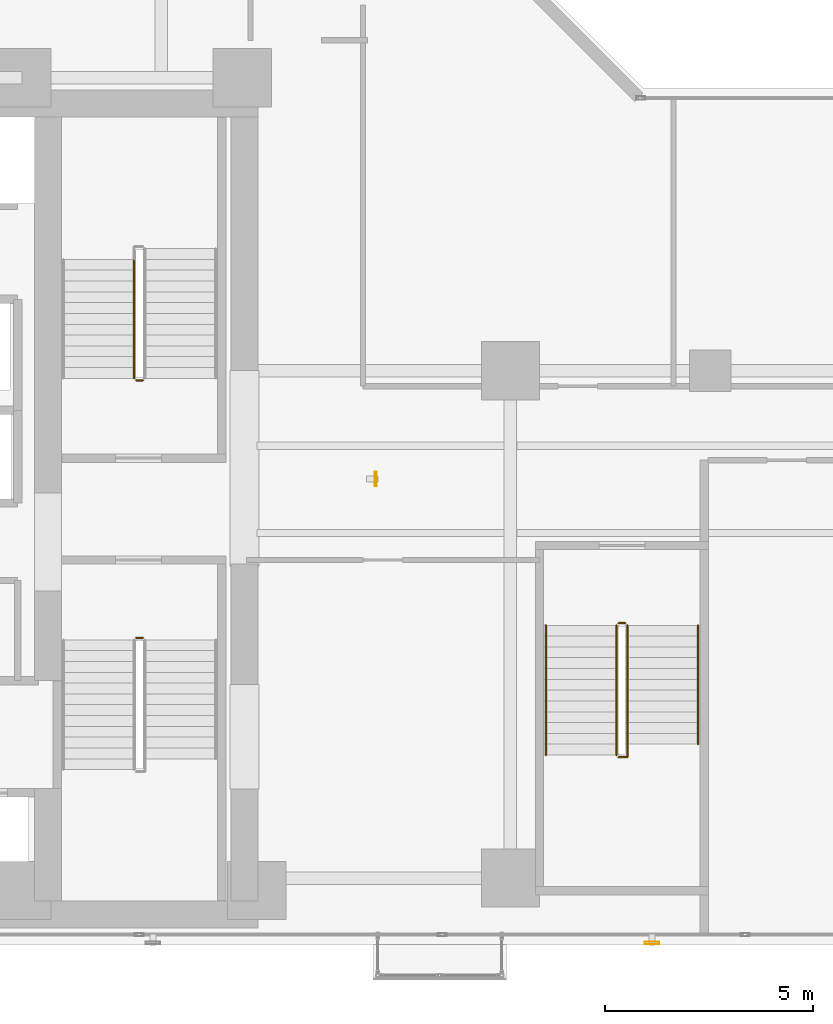
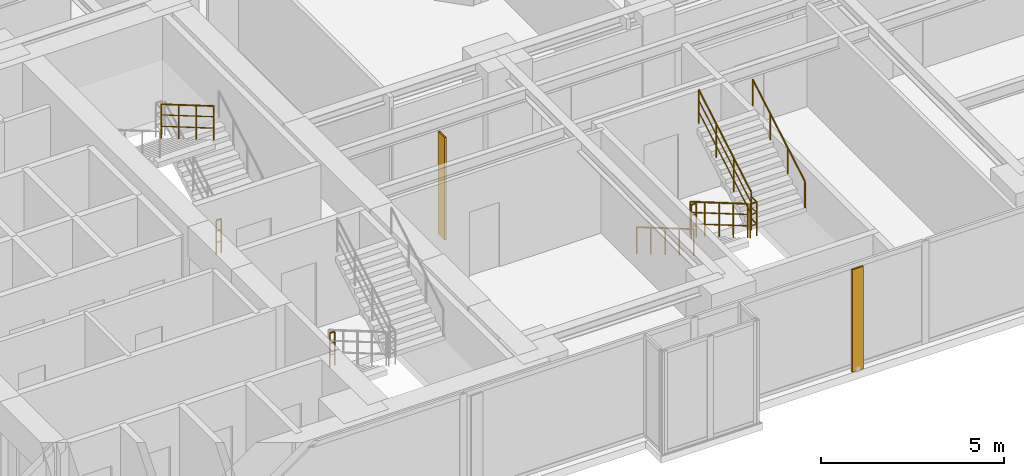
# One storey, part 24 of 25: 9 railings, 2 shading devices.
"""IFC4 building model written with IfcOpenShell, lengths in metres."""

import ifcopenshell
import ifcopenshell.guid

model = None  # the IFC model being written
_history = None  # IfcOwnerHistory: only IFC2X3 demands one
_inside = {}  # id of a spatial element -> (the spatial element, [elements in it])
_under = {}  # id of a project, library or spatial element -> (it, [spatial elements below it])
_declared = {}  # id of a project -> (the project, [libraries it declares])
_typed = {}  # id of a type object -> (the type object, [elements of that type])
_made_of = {}  # id of a material, layer set ... -> (it, [elements and type objects made of it])


def new_model(schema):
    """Start an empty IFC model of exactly this schema.

    Asked for "IFC4X3", IfcOpenShell would pick the latest addendum, in which some entities
    have other attributes; the version numbers below select the first issue.
    IFC2X3 requires an IfcOwnerHistory on every rooted entity: one is made here for all.
    """
    global model, _history
    if schema == "IFC4X3":
        model = ifcopenshell.file(schema_version=(4, 3, 0, 0))
    else:
        model = ifcopenshell.file(schema=schema)
    _inside.clear()
    _under.clear()
    _declared.clear()
    _typed.clear()
    _made_of.clear()
    _history = None
    if model.schema == "IFC2X3":
        org = make("IfcOrganization", Name="unknown")
        user = make(
            "IfcPersonAndOrganization",
            ThePerson=make("IfcPerson", FamilyName="unknown"),
            TheOrganization=org,
        )
        app = make(
            "IfcApplication",
            ApplicationDeveloper=org,
            Version="unknown",
            ApplicationFullName="unknown",
            ApplicationIdentifier="unknown",
        )
        _history = make(
            "IfcOwnerHistory",
            OwningUser=user,
            OwningApplication=app,
            ChangeAction="ADDED",
            CreationDate=0,
        )
    return model


def make(cls, **values):
    """One entity of the class cls with the attributes given. An attribute that is None is left unset."""
    return model.create_entity(
        cls, **{name: value for name, value in values.items() if value is not None}
    )


def rooted(cls, **values):
    """An entity with a GlobalId (a new one), such as an element, a storey or a relation."""
    return make(cls, GlobalId=ifcopenshell.guid.new(), OwnerHistory=_history, **values)


def si_unit(unit_type, name, prefix=None):
    """IfcSIUnit, for example si_unit("LENGTHUNIT", "METRE", prefix="MILLI")."""
    return make("IfcSIUnit", UnitType=unit_type, Prefix=prefix, Name=name)


def assignment(units):
    """IfcUnitAssignment: the units of a project."""
    return None if units is None else make("IfcUnitAssignment", Units=units)


def point(xyz):
    """IfcCartesianPoint."""
    return None if xyz is None else make("IfcCartesianPoint", Coordinates=xyz)


def direction(xyz):
    """IfcDirection."""
    return None if xyz is None else make("IfcDirection", DirectionRatios=xyz)


def frame(location, z_axis=None, x_axis=None):
    """IfcAxis2Placement3D, a coordinate frame: its origin and axes. An axis left out is left unset."""
    return make(
        "IfcAxis2Placement3D",
        Location=point(location),
        Axis=direction(z_axis),
        RefDirection=direction(x_axis),
    )


def frame_2d(location, x_axis=None):
    """IfcAxis2Placement2D, a coordinate frame in the plane: its origin and x axis."""
    return make(
        "IfcAxis2Placement2D", Location=point(location), RefDirection=direction(x_axis)
    )


def origin():
    """The frame at (0, 0, 0) with its axes left unset."""
    return frame((0.0, 0.0, 0.0))


def origin_2d():
    """The frame at (0, 0) in the plane with its x axis left unset."""
    return frame_2d((0.0, 0.0))


def place(relative_to, where):
    """IfcLocalPlacement: puts the frame where relative to a parent placement (None: the world)."""
    return make(
        "IfcLocalPlacement", PlacementRelTo=relative_to, RelativePlacement=where
    )


def context(
    kind, dimensions, precision=None, world=None, true_north=None, identifier=None
):
    """IfcGeometricRepresentationContext, for example the 3D "Model" context."""
    return make(
        "IfcGeometricRepresentationContext",
        ContextIdentifier=identifier,
        ContextType=kind,
        CoordinateSpaceDimension=dimensions,
        Precision=precision,
        WorldCoordinateSystem=world,
        TrueNorth=true_north,
    )


def subcontext(parent, identifier, kind, view, scale=None):
    """IfcGeometricRepresentationSubContext, for example "Body" below "Model"."""
    return make(
        "IfcGeometricRepresentationSubContext",
        ContextIdentifier=identifier,
        ContextType=kind,
        ParentContext=parent,
        TargetScale=scale,
        TargetView=view,
    )


def project(units=None, contexts=None):
    """IfcProject with its units and contexts."""
    return rooted(
        "IfcProject",
        Name="project",
        RepresentationContexts=contexts,
        UnitsInContext=assignment(units),
    )


def spatial(cls, under=None, at=None, **own):
    """A site, building, storey or space (cls), placed at a placement, below another one or the project."""
    s = rooted(cls, ObjectPlacement=at, **own)
    if under is not None:
        _under.setdefault(under.id(), (under, []))[1].append(s)
    return s


def profile(cls, at=None, kind="AREA", **sizes):
    """A parametric profile (cls). Its sizes go by their IFC names, for example OverallWidth=200.0."""
    return make(cls, ProfileType=kind, Position=at, **sizes)


def hollow_rectangle(**sizes):
    """IfcRectangleHollowProfileDef."""
    return profile("IfcRectangleHollowProfileDef", **sizes)


def circle(**sizes):
    """IfcCircleProfileDef."""
    return profile("IfcCircleProfileDef", **sizes)


def extrude(swept, where, along, depth):
    """IfcExtrudedAreaSolid: the profile swept, set in the frame where, extruded along a direction by depth."""
    return make(
        "IfcExtrudedAreaSolid",
        SweptArea=swept,
        Position=where,
        ExtrudedDirection=direction(along),
        Depth=depth,
    )


def shape(context_of_items, identifier, shape_type, items):
    """IfcShapeRepresentation: the items that make up one representation, for example the "Body"."""
    return make(
        "IfcShapeRepresentation",
        ContextOfItems=context_of_items,
        RepresentationIdentifier=identifier,
        RepresentationType=shape_type,
        Items=items,
    )


def material(Name=None, Category=None):
    """IfcMaterial."""
    return make("IfcMaterial", Name=Name, Category=Category)


def material_profile(
    of_material, cross_section, Name=None, Category=None, Priority=None
):
    """IfcMaterialProfile: a cross section and its material."""
    return make(
        "IfcMaterialProfile",
        Name=Name,
        Material=of_material,
        Profile=cross_section,
        Priority=Priority,
        Category=Category,
    )


def profile_set(profiles, Name=None, composite=None):
    """IfcMaterialProfileSet."""
    return make(
        "IfcMaterialProfileSet",
        Name=Name,
        MaterialProfiles=profiles,
        CompositeProfile=composite,
    )


def made_of(thing, what):
    """Note that an element or type object is made of a material, layer set ...; save() writes the relation."""
    if what is not None:
        _made_of.setdefault(what.id(), (what, []))[1].append(thing)
    return thing


def type_object(cls, material=None, **own):
    """A type object (cls), such as IfcWallType, which elements share."""
    return made_of(rooted(cls, **own), material)


def element(
    cls,
    number,
    at=None,
    inside=None,
    cuts=None,
    type_object=None,
    material=None,
    context=None,
    identifier="Body",
    shape_type=None,
    held_by="IfcProductDefinitionShape",
    body=None,
    shapes=None,
    **own,
):
    """One element of the class cls, such as IfcWall. Its Tag is "e" and its number.

    at: its placement. inside: the storey or other place that contains it. cuts: it is an
    opening in that element (IfcRelVoidsElement). A single representation is given by context,
    identifier, shape_type and body (its items); several are given by shapes. held_by: the class
    of the entity that holds the representations. save() writes the other relations.
    """
    e = rooted(cls, Tag="e%d" % number, ObjectPlacement=at, **own)
    if body is not None:
        shapes = [shape(context, identifier, shape_type, body)]
    if shapes is not None:
        e.Representation = make(held_by, Representations=shapes)
    if inside is not None:
        _inside.setdefault(inside.id(), (inside, []))[1].append(e)
    if cuts is not None:
        rooted(
            "IfcRelVoidsElement", RelatingBuildingElement=cuts, RelatedOpeningElement=e
        )
    if type_object is not None:
        _typed.setdefault(type_object.id(), (type_object, []))[1].append(e)
    return made_of(e, material)


def aggregate(whole, parts):
    """IfcRelAggregates: a whole, such as a stair, and the parts it consists of."""
    return rooted("IfcRelAggregates", RelatingObject=whole, RelatedObjects=parts)


def save(model, path):
    """Write the relations noted so far, then the file.

    IfcRelAggregates (storeys below a building ...), IfcRelContainedInSpatialStructure (elements
    in a storey), IfcRelDefinesByType, IfcRelAssociatesMaterial and IfcRelDeclares: one each for
    every whole, place, type object, material and project.
    """
    for whole, parts in _under.values():
        aggregate(whole, parts)
    for where, things in _inside.values():
        rooted(
            "IfcRelContainedInSpatialStructure",
            RelatedElements=things,
            RelatingStructure=where,
        )
    for kind, things in _typed.values():
        rooted("IfcRelDefinesByType", RelatedObjects=things, RelatingType=kind)
    for what, things in _made_of.values():
        rooted("IfcRelAssociatesMaterial", RelatedObjects=things, RelatingMaterial=what)
    for by, libraries in _declared.values():
        rooted("IfcRelDeclares", RelatingContext=by, RelatedDefinitions=libraries)
    model.write(path)


model = new_model("IFC4")

# Units and contexts
model_context = context("Model", 3, precision=1e-05, world=origin(), true_north=direction((0.0, 1.0)))
body_context = subcontext(model_context, "Body", "Model", "MODEL_VIEW")
ifc_project = project(units=[si_unit("LENGTHUNIT", "METRE"), si_unit("AREAUNIT", "SQUARE_METRE"), si_unit("VOLUMEUNIT", "CUBIC_METRE"), si_unit("PLANEANGLEUNIT", "RADIAN"), si_unit("MASSUNIT", "GRAM", prefix="KILO")], contexts=[model_context])

# Site, building, storey
site_placement = place(None, origin())
site = spatial("IfcSite", under=ifc_project, at=site_placement, CompositionType="ELEMENT")
building_placement = place(site_placement, origin())
building = spatial("IfcBuilding", under=site, at=building_placement, Name="Kolvaren Waterfront Exchange", CompositionType="ELEMENT")
storey_placement = place(building_placement, frame((0.0, 0.0, 137.300048828125)))
storey = spatial("IfcBuildingStorey", under=building, at=storey_placement, Name="L35", CompositionType="ELEMENT", Elevation=137.300048828125)

# Shading devices
ifc_material_1 = material(Name="Anodised bronze aluminium 6063-T6", Category="aluminium")
ifc_material_profile = material_profile(ifc_material_1, hollow_rectangle(XDim=0.06005859375, YDim=0.35009765625, WallThickness=0.0048828125, at=origin_2d()), Name="BRZ-FIN-350x60x5")
ifc_profile_set = profile_set([ifc_material_profile], Name="Anodised bronze aluminium 6063-T6")
shading_device_type = type_object("IfcShadingDeviceType", Name="ARC-FIN-350", PredefinedType="USERDEFINED", material=ifc_profile_set)
for number, where, z_axis, x_axis, name in (
    (1, (30.60009765625, 3.639892578125, 0.0), (0.0, 0.0, 1.0), (0.0, -1.0, 0.0), "L35 anodised bronze solar shading fin FIN-L35-S3"),
    (2, (23.9599609375, 14.800048828125, 0.0), (0.0, 0.0, 1.0), (1.0, 0.0, 0.0), "L35 anodised bronze solar shading fin FIN-L35-E1"),
):
    element("IfcShadingDevice", number, at=place(storey_placement, frame(where, z_axis=z_axis, x_axis=x_axis)), inside=storey, type_object=shading_device_type, Name=name, ObjectType="SOLAR FIN", PredefinedType="USERDEFINED", context=body_context, shape_type="SweptSolid", body=[
        extrude(hollow_rectangle(XDim=0.06005859375, YDim=0.35009765625, WallThickness=0.0048828125, at=origin_2d()), origin(), (0.0, 0.0, 1.0), 3.419921875),
    ])

# Railings
ifc_material_2 = material(Name="Stainless steel 316", Category="steel")
railing_type_1 = type_object("IfcRailingType", Name="ARC-GUARD-STAIR", PredefinedType="GUARDRAIL", material=ifc_material_2)
railing_1_placement = place(storey_placement, frame((18.199951171875, 10.97998046875, 0.0)))
element("IfcRailing", 3, at=railing_1_placement, inside=storey, type_object=railing_type_1, Name="L35 ST1 stair guard 4", PredefinedType="GUARDRAIL", context=body_context, shape_type="SweptSolid", body=[
    extrude(circle(Radius=0.02392578125, at=origin_2d()), frame((0.0, 0.0, 1.1259765625), z_axis=(1.0, 0.0, 0.0), x_axis=(0.0, 1.0, 0.0)), (0.0, 0.0, 1.0), 0.16015625),
    extrude(circle(Radius=0.01611328125, at=origin_2d()), frame((0.0, 0.0, 0.390869140625), z_axis=(1.0, 0.0, 0.0), x_axis=(0.0, 1.0, 0.0)), (0.0, 0.0, 1.0), 0.16015625),
    extrude(circle(Radius=0.01611328125, at=origin_2d()), frame((0.0, 0.0, 0.7705078125), z_axis=(1.0, 0.0, 0.0), x_axis=(0.0, 1.0, 0.0)), (0.0, 0.0, 1.0), 0.16015625),
    extrude(circle(Radius=0.02099609375, at=origin_2d()), origin(), (0.0, 0.0, 1.0), 1.101806640625),
    extrude(circle(Radius=0.02099609375, at=origin_2d()), frame((0.16015625, 0.0, 0.0)), (0.0, 0.0, 1.0), 1.101806640625),
])
railing_2_placement = place(storey_placement, frame((18.14990234375, 20.080078125, 2.1279296875)))
element("IfcRailing", 4, at=railing_2_placement, inside=storey, type_object=railing_type_1, Name="L35 ST2 stair guard 3", PredefinedType="GUARDRAIL", context=body_context, shape_type="SweptSolid", body=[
    extrude(circle(Radius=0.02392578125, at=origin_2d()), frame((0.0, 0.0, 1.1259765625), z_axis=(0.0, -0.863289384635, 0.504709261235), x_axis=(1.0, 0.0, 0.0)), (0.0, 0.0, 1.0), 3.31298828125),
    extrude(circle(Radius=0.01611328125, at=origin_2d()), frame((0.0, 0.0, 0.390869140625), z_axis=(0.0, -0.863289384635, 0.504709261235), x_axis=(1.0, 0.0, 0.0)), (0.0, 0.0, 1.0), 3.31298828125),
    extrude(circle(Radius=0.01611328125, at=origin_2d()), frame((0.0, 0.0, 0.7705078125), z_axis=(0.0, -0.863289384635, 0.504709261235), x_axis=(1.0, 0.0, 0.0)), (0.0, 0.0, 1.0), 3.31298828125),
    extrude(circle(Radius=0.02099609375, at=origin_2d()), origin(), (0.0, 0.0, 1.0), 1.101806640625),
    extrude(circle(Radius=0.02099609375, at=origin_2d()), frame((0.0, -0.953369140625, 0.557373046875)), (0.0, 0.0, 1.0), 1.101806640625),
    extrude(circle(Radius=0.02099609375, at=origin_2d()), frame((0.0, -1.90673828125, 1.11474609375)), (0.0, 0.0, 1.0), 1.101806640625),
    extrude(circle(Radius=0.02099609375, at=origin_2d()), frame((0.0, -2.860107421875, 1.672119140625)), (0.0, 0.0, 1.0), 1.101806640625),
])
railing_3_placement = place(storey_placement, frame((18.360107421875, 17.169921875, 0.0)))
element("IfcRailing", 5, at=railing_3_placement, inside=storey, type_object=railing_type_1, Name="L35 ST2 stair guard 4", PredefinedType="GUARDRAIL", context=body_context, shape_type="SweptSolid", body=[
    extrude(circle(Radius=0.02392578125, at=origin_2d()), frame((0.0, 0.0, 1.1259765625), z_axis=(-1.0, 0.0, 0.0), x_axis=(0.0, -1.0, 0.0)), (0.0, 0.0, 1.0), 0.16015625),
    extrude(circle(Radius=0.01611328125, at=origin_2d()), frame((0.0, 0.0, 0.390869140625), z_axis=(-1.0, 0.0, 0.0), x_axis=(0.0, -1.0, 0.0)), (0.0, 0.0, 1.0), 0.16015625),
    extrude(circle(Radius=0.01611328125, at=origin_2d()), frame((0.0, 0.0, 0.7705078125), z_axis=(-1.0, 0.0, 0.0), x_axis=(0.0, -1.0, 0.0)), (0.0, 0.0, 1.0), 0.16015625),
    extrude(circle(Radius=0.02099609375, at=origin_2d()), origin(), (0.0, 0.0, 1.0), 1.101806640625),
    extrude(circle(Radius=0.02099609375, at=origin_2d()), frame((-0.16015625, 0.0, 0.0)), (0.0, 0.0, 1.0), 1.101806640625),
])
railing_4_placement = place(storey_placement, frame((29.75, 11.280029296875, 0.15185546875)))
element("IfcRailing", 6, at=railing_4_placement, inside=storey, type_object=railing_type_1, Name="L35 ST3 stair guard 1", PredefinedType="GUARDRAIL", context=body_context, shape_type="SweptSolid", body=[
    extrude(circle(Radius=0.02392578125, at=origin_2d()), frame((0.0, 0.0, 1.1259765625), z_axis=(0.0, -0.86330811405, 0.504677223793), x_axis=(1.0, 0.0, 0.0)), (0.0, 0.0, 1.0), 3.6142578125),
    extrude(circle(Radius=0.01611328125, at=origin_2d()), frame((0.0, 0.0, 0.390869140625), z_axis=(0.0, -0.86330811405, 0.504677223793), x_axis=(1.0, 0.0, 0.0)), (0.0, 0.0, 1.0), 3.6142578125),
    extrude(circle(Radius=0.01611328125, at=origin_2d()), frame((0.0, 0.0, 0.7705078125), z_axis=(0.0, -0.86330811405, 0.504677223793), x_axis=(1.0, 0.0, 0.0)), (0.0, 0.0, 1.0), 3.6142578125),
    extrude(circle(Radius=0.02099609375, at=origin_2d()), origin(), (0.0, 0.0, 1.0), 1.101806640625),
    extrude(circle(Radius=0.02099609375, at=origin_2d()), frame((0.0, -0.780029296875, 0.4560546875)), (0.0, 0.0, 1.0), 1.101806640625),
    extrude(circle(Radius=0.02099609375, at=origin_2d()), frame((0.0, -1.56005859375, 0.912109375)), (0.0, 0.0, 1.0), 1.101806640625),
    extrude(circle(Radius=0.02099609375, at=origin_2d()), frame((0.0, -2.340087890625, 1.367919921875)), (0.0, 0.0, 1.0), 1.101806640625),
    extrude(circle(Radius=0.02099609375, at=origin_2d()), frame((0.0, -3.1201171875, 1.823974609375)), (0.0, 0.0, 1.0), 1.101806640625),
])
railing_5_placement = place(storey_placement, frame((29.800048828125, 8.110107421875, 1.975830078125)))
element("IfcRailing", 7, at=railing_5_placement, inside=storey, type_object=railing_type_1, Name="L35 ST3 stair guard 2", PredefinedType="GUARDRAIL", context=body_context, shape_type="SweptSolid", body=[
    extrude(circle(Radius=0.02392578125, at=origin_2d()), frame((0.0, 0.0, 1.1259765625), z_axis=(1.0, 0.0, 0.0), x_axis=(0.0, 1.0, 0.0)), (0.0, 0.0, 1.0), 0.2099609375),
    extrude(circle(Radius=0.01611328125, at=origin_2d()), frame((0.0, 0.0, 0.390869140625), z_axis=(1.0, 0.0, 0.0), x_axis=(0.0, 1.0, 0.0)), (0.0, 0.0, 1.0), 0.2099609375),
    extrude(circle(Radius=0.01611328125, at=origin_2d()), frame((0.0, 0.0, 0.7705078125), z_axis=(1.0, 0.0, 0.0), x_axis=(0.0, 1.0, 0.0)), (0.0, 0.0, 1.0), 0.2099609375),
    extrude(circle(Radius=0.02392578125, at=origin_2d()), frame((0.2099609375, 0.0, 1.1259765625), z_axis=(0.0, 1.0, 0.0), x_axis=(-1.0, 0.0, 0.0)), (0.0, 0.0, 1.0), 0.309814453125),
    extrude(circle(Radius=0.01611328125, at=origin_2d()), frame((0.2099609375, 0.0, 0.390869140625), z_axis=(0.0, 1.0, 0.0), x_axis=(-1.0, 0.0, 0.0)), (0.0, 0.0, 1.0), 0.309814453125),
    extrude(circle(Radius=0.01611328125, at=origin_2d()), frame((0.2099609375, 0.0, 0.7705078125), z_axis=(0.0, 1.0, 0.0), x_axis=(-1.0, 0.0, 0.0)), (0.0, 0.0, 1.0), 0.309814453125),
    extrude(circle(Radius=0.02099609375, at=origin_2d()), origin(), (0.0, 0.0, 1.0), 1.101806640625),
    extrude(circle(Radius=0.02099609375, at=origin_2d()), frame((0.2099609375, 0.0, 0.0)), (0.0, 0.0, 1.0), 1.101806640625),
    extrude(circle(Radius=0.02099609375, at=origin_2d()), frame((0.2099609375, 0.309814453125, 0.0)), (0.0, 0.0, 1.0), 1.101806640625),
])
railing_6_placement = place(storey_placement, frame((30.010009765625, 8.419921875, 2.1279296875)))
element("IfcRailing", 8, at=railing_6_placement, inside=storey, type_object=railing_type_1, Name="L35 ST3 stair guard 3", PredefinedType="GUARDRAIL", context=body_context, shape_type="SweptSolid", body=[
    extrude(circle(Radius=0.02392578125, at=origin_2d()), frame((0.0, 0.0, 1.1259765625), z_axis=(0.0, 0.863289384635, 0.504709261235), x_axis=(-1.0, 0.0, 0.0)), (0.0, 0.0, 1.0), 3.31298828125),
    extrude(circle(Radius=0.01611328125, at=origin_2d()), frame((0.0, 0.0, 0.390869140625), z_axis=(0.0, 0.863289384635, 0.504709261235), x_axis=(-1.0, 0.0, 0.0)), (0.0, 0.0, 1.0), 3.31298828125),
    extrude(circle(Radius=0.01611328125, at=origin_2d()), frame((0.0, 0.0, 0.7705078125), z_axis=(0.0, 0.863289384635, 0.504709261235), x_axis=(-1.0, 0.0, 0.0)), (0.0, 0.0, 1.0), 3.31298828125),
    extrude(circle(Radius=0.02099609375, at=origin_2d()), origin(), (0.0, 0.0, 1.0), 1.101806640625),
    extrude(circle(Radius=0.02099609375, at=origin_2d()), frame((0.0, 0.953369140625, 0.557373046875)), (0.0, 0.0, 1.0), 1.101806640625),
    extrude(circle(Radius=0.02099609375, at=origin_2d()), frame((0.0, 1.90673828125, 1.11474609375)), (0.0, 0.0, 1.0), 1.101806640625),
    extrude(circle(Radius=0.02099609375, at=origin_2d()), frame((0.0, 2.860107421875, 1.672119140625)), (0.0, 0.0, 1.0), 1.101806640625),
])
railing_7_placement = place(storey_placement, frame((29.800048828125, 11.330078125, 0.0)))
element("IfcRailing", 9, at=railing_7_placement, inside=storey, type_object=railing_type_1, Name="L35 ST3 stair guard 4", PredefinedType="GUARDRAIL", context=body_context, shape_type="SweptSolid", body=[
    extrude(circle(Radius=0.02392578125, at=origin_2d()), frame((0.0, 0.0, 1.1259765625), z_axis=(1.0, 0.0, 0.0), x_axis=(0.0, 1.0, 0.0)), (0.0, 0.0, 1.0), 0.159912109375),
    extrude(circle(Radius=0.01611328125, at=origin_2d()), frame((0.0, 0.0, 0.390869140625), z_axis=(1.0, 0.0, 0.0), x_axis=(0.0, 1.0, 0.0)), (0.0, 0.0, 1.0), 0.159912109375),
    extrude(circle(Radius=0.01611328125, at=origin_2d()), frame((0.0, 0.0, 0.7705078125), z_axis=(1.0, 0.0, 0.0), x_axis=(0.0, 1.0, 0.0)), (0.0, 0.0, 1.0), 0.159912109375),
    extrude(circle(Radius=0.02099609375, at=origin_2d()), origin(), (0.0, 0.0, 1.0), 1.101806640625),
    extrude(circle(Radius=0.02099609375, at=origin_2d()), frame((0.159912109375, 0.0, 0.0)), (0.0, 0.0, 1.0), 1.101806640625),
])
railing_type_2 = type_object("IfcRailingType", Name="ARC-HANDRAIL-900", PredefinedType="HANDRAIL", material=ifc_material_2)
railing_8_placement = place(storey_placement, frame((28.050048828125, 11.280029296875, 0.15185546875)))
element("IfcRailing", 10, at=railing_8_placement, inside=storey, type_object=railing_type_2, Name="L35 ST3 stair handrail 1", PredefinedType="HANDRAIL", context=body_context, shape_type="SweptSolid", body=[
    extrude(circle(Radius=0.02392578125, at=origin_2d()), frame((0.0, 0.0, 0.8759765625), z_axis=(0.0, -0.86330811405, 0.504677223793), x_axis=(1.0, 0.0, 0.0)), (0.0, 0.0, 1.0), 3.6142578125),
    extrude(circle(Radius=0.02099609375, at=origin_2d()), origin(), (0.0, 0.0, 1.0), 0.851806640625),
    extrude(circle(Radius=0.02099609375, at=origin_2d()), frame((0.0, -0.780029296875, 0.4560546875)), (0.0, 0.0, 1.0), 0.851806640625),
    extrude(circle(Radius=0.02099609375, at=origin_2d()), frame((0.0, -1.56005859375, 0.912109375)), (0.0, 0.0, 1.0), 0.851806640625),
    extrude(circle(Radius=0.02099609375, at=origin_2d()), frame((0.0, -2.340087890625, 1.367919921875)), (0.0, 0.0, 1.0), 0.851806640625),
    extrude(circle(Radius=0.02099609375, at=origin_2d()), frame((0.0, -3.1201171875, 1.823974609375)), (0.0, 0.0, 1.0), 0.851806640625),
])
railing_9_placement = place(storey_placement, frame((31.7099609375, 8.419921875, 2.1279296875)))
element("IfcRailing", 11, at=railing_9_placement, inside=storey, type_object=railing_type_2, Name="L35 ST3 stair handrail 2", PredefinedType="HANDRAIL", context=body_context, shape_type="SweptSolid", body=[
    extrude(circle(Radius=0.02392578125, at=origin_2d()), frame((0.0, 0.0, 0.8759765625), z_axis=(0.0, 0.863289384635, 0.504709261235), x_axis=(-1.0, 0.0, 0.0)), (0.0, 0.0, 1.0), 3.31298828125),
    extrude(circle(Radius=0.02099609375, at=origin_2d()), origin(), (0.0, 0.0, 1.0), 0.851806640625),
    extrude(circle(Radius=0.02099609375, at=origin_2d()), frame((0.0, 0.953369140625, 0.557373046875)), (0.0, 0.0, 1.0), 0.851806640625),
    extrude(circle(Radius=0.02099609375, at=origin_2d()), frame((0.0, 1.90673828125, 1.11474609375)), (0.0, 0.0, 1.0), 0.851806640625),
    extrude(circle(Radius=0.02099609375, at=origin_2d()), frame((0.0, 2.860107421875, 1.672119140625)), (0.0, 0.0, 1.0), 0.851806640625),
])

save(model, "model.ifc")
